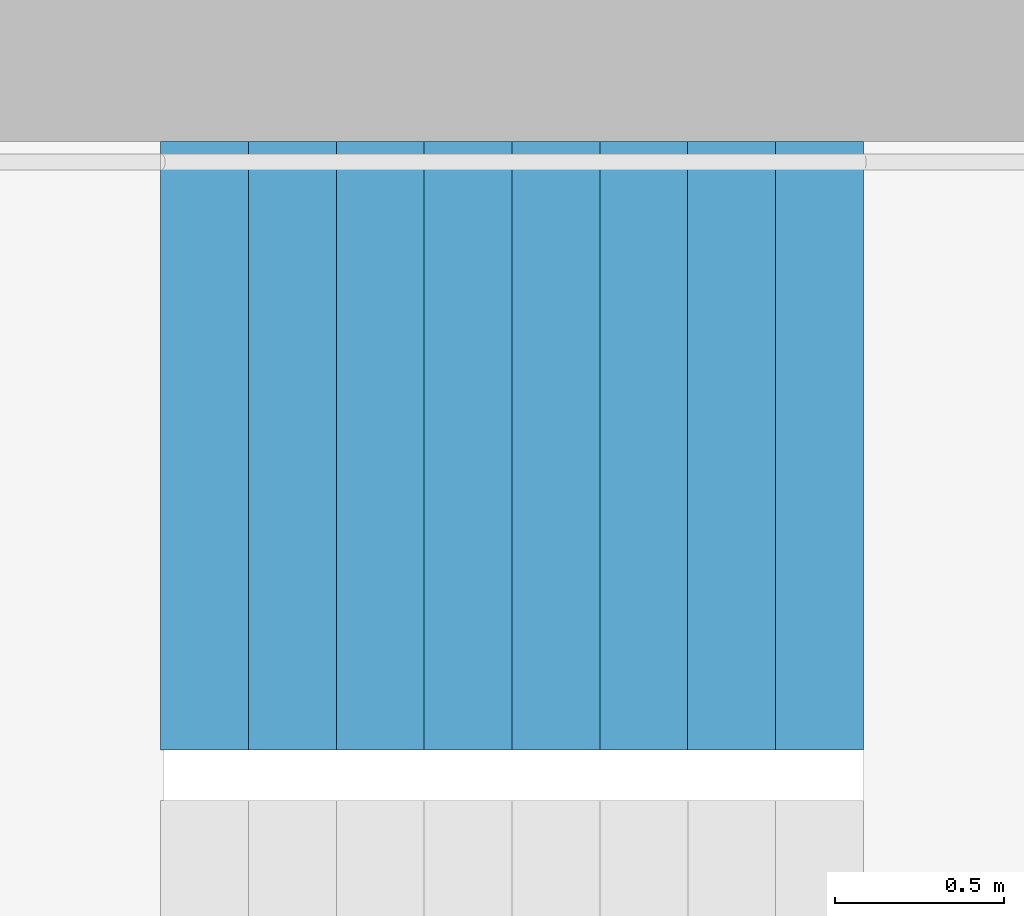
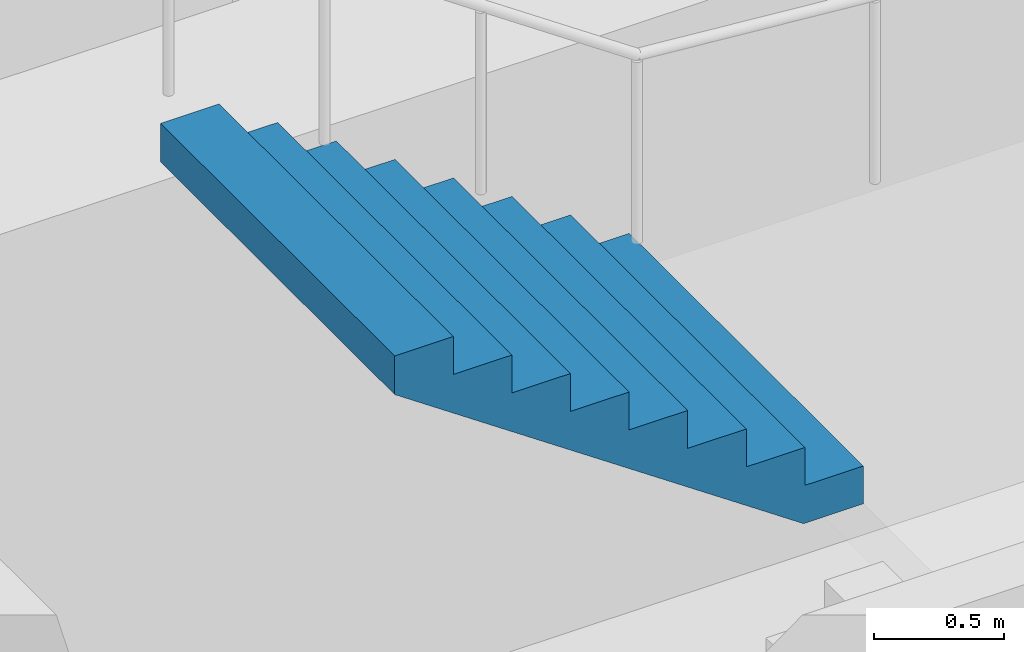
# One storey, part 20 of 30: 1 stair flight, 1 element without a shape of its own.
"""IFC4 building model written with IfcOpenShell, lengths in metres."""

from ifc_helpers import new_model, si_unit, direction, frame, origin, place, context, subcontext, project, spatial, triangles, material, type_object, element, aggregate, save


model = new_model("IFC4")

# Units and contexts
model_context = context("Model", 3, precision=1e-05, world=origin(), true_north=direction((0.0, 1.0)))
body_context = subcontext(model_context, "Body", "Model", "MODEL_VIEW")
ifc_project = project(units=[si_unit("LENGTHUNIT", "METRE"), si_unit("AREAUNIT", "SQUARE_METRE"), si_unit("VOLUMEUNIT", "CUBIC_METRE"), si_unit("PLANEANGLEUNIT", "RADIAN"), si_unit("MASSUNIT", "GRAM", prefix="KILO")], contexts=[model_context])

# Site, building, storey
site_placement = place(None, origin())
site = spatial("IfcSite", under=ifc_project, at=site_placement, CompositionType="ELEMENT")
building_placement = place(site_placement, origin())
building = spatial("IfcBuilding", under=site, at=building_placement, Name="Hakoniwa Tower and Hamabe Station Hall", CompositionType="ELEMENT")
storey_placement = place(building_placement, frame((0.0, 0.0, 137.39990234375)))
storey = spatial("IfcBuildingStorey", under=building, at=storey_placement, Name="L38", CompositionType="ELEMENT", Elevation=137.39990234375)

# Stair, stair flight
ifc_material_1 = material(Name="Concrete C40", Category="concrete")
stair_type = type_object("IfcStairType", Name="ESCAPE STAIR 1800", PredefinedType="HALF_TURN_STAIR", material=ifc_material_1)
stair_placement = place(storey_placement, origin())
stair = element("IfcStair", 1, at=stair_placement, inside=storey, type_object=stair_type, Name="Escape stair ST-1 L38", PredefinedType="HALF_TURN_STAIR")
ifc_material_2 = material(Name="Concrete C40", Category="concrete")
stair_flight_type = type_object("IfcStairFlightType", Name="STAIR FLIGHT 1800", PredefinedType="STRAIGHT", material=ifc_material_2)
stair_flight_placement = place(storey_placement, frame((-22.320068359375, 6.60009765625, 1.60009765625), z_axis=(0.0, 0.0, 1.0), x_axis=(-1.0, 0.0, 0.0)))
stair_flight = element("IfcStairFlight", 2, at=stair_flight_placement, type_object=stair_flight_type, Name="ST-1 flight 2", NumberOfRisers=9, NumberOfTreads=8, PredefinedType="STRAIGHT", RiserHeight=0.177777778, TreadLength=0.26, context=body_context, shape_type="Tessellation", body=[
    triangles([(0.0, 0.89990234375, 0.0), (0.260009765625, 0.89990234375, 0.0), (0.265625, 0.89990234375, 0.0), (0.52001953125, 0.89990234375, 0.174072265625), (0.780029296875, 0.89990234375, 0.351806640625), (1.0400390625, 0.89990234375, 0.529541015625), (1.300048828125, 0.89990234375, 0.707275390625), (1.56005859375, 0.89990234375, 0.885009765625), (1.820068359375, 0.89990234375, 1.062744140625), (2.080078125, 0.89990234375, 1.24072265625), (2.080078125, 0.89990234375, 1.422119140625), (1.820068359375, 0.89990234375, 1.422119140625), (1.820068359375, 0.89990234375, 1.244384765625), (1.56005859375, 0.89990234375, 1.244384765625), (1.56005859375, 0.89990234375, 1.066650390625), (1.300048828125, 0.89990234375, 1.066650390625), (1.300048828125, 0.89990234375, 0.888916015625), (1.0400390625, 0.89990234375, 0.888916015625), (1.0400390625, 0.89990234375, 0.711181640625), (0.780029296875, 0.89990234375, 0.711181640625), (0.780029296875, 0.89990234375, 0.533447265625), (0.52001953125, 0.89990234375, 0.533447265625), (0.52001953125, 0.89990234375, 0.35546875), (0.265625, 0.89990234375, 0.35546875), (0.260009765625, 0.89990234375, 0.35546875), (0.260009765625, 0.89990234375, 0.177734375), (0.0, 0.89990234375, 0.177734375), (0.0, 0.06005859375, 0.0), (0.260009765625, 0.06005859375, 0.0), (0.265625, 0.06005859375, 0.0), (0.52001953125, 0.06005859375, 0.174072265625), (0.780029296875, 0.06005859375, 0.351806640625), (1.0400390625, 0.06005859375, 0.529541015625), (1.300048828125, 0.06005859375, 0.707275390625), (1.56005859375, 0.06005859375, 0.885009765625), (1.820068359375, 0.06005859375, 1.062744140625), (2.080078125, 0.06005859375, 1.24072265625), (2.080078125, 0.06005859375, 1.422119140625), (1.820068359375, 0.06005859375, 1.422119140625), (1.820068359375, 0.06005859375, 1.244384765625), (1.56005859375, 0.06005859375, 1.244384765625), (1.56005859375, 0.06005859375, 1.066650390625), (1.300048828125, 0.06005859375, 1.066650390625), (1.300048828125, 0.06005859375, 0.888916015625), (1.0400390625, 0.06005859375, 0.888916015625), (1.0400390625, 0.06005859375, 0.711181640625), (0.780029296875, 0.06005859375, 0.711181640625), (0.780029296875, 0.06005859375, 0.533447265625), (0.52001953125, 0.06005859375, 0.533447265625), (0.52001953125, 0.06005859375, 0.35546875), (0.265625, 0.06005859375, 0.35546875), (0.260009765625, 0.06005859375, 0.35546875), (0.260009765625, 0.06005859375, 0.177734375), (0.0, 0.06005859375, 0.177734375), (0.0, 0.04296875, 0.0), (0.260009765625, 0.04296875, 0.0), (0.265625, 0.04296875, 0.0), (0.52001953125, 0.04296875, 0.174072265625), (0.780029296875, 0.04296875, 0.351806640625), (1.0400390625, 0.04296875, 0.529541015625), (1.300048828125, 0.04296875, 0.707275390625), (1.56005859375, 0.04296875, 0.885009765625), (1.820068359375, 0.04296875, 1.062744140625), (2.080078125, 0.04296875, 1.24072265625), (2.080078125, 0.04296875, 1.422119140625), (1.820068359375, 0.04296875, 1.422119140625), (1.820068359375, 0.04296875, 1.244384765625), (1.56005859375, 0.04296875, 1.244384765625), (1.56005859375, 0.04296875, 1.066650390625), (1.300048828125, 0.04296875, 1.066650390625), (1.300048828125, 0.04296875, 0.888916015625), (1.0400390625, 0.04296875, 0.888916015625), (1.0400390625, 0.04296875, 0.711181640625), (0.780029296875, 0.04296875, 0.711181640625), (0.780029296875, 0.04296875, 0.533447265625), (0.52001953125, 0.04296875, 0.533447265625), (0.52001953125, 0.04296875, 0.35546875), (0.265625, 0.04296875, 0.35546875), (0.260009765625, 0.04296875, 0.35546875), (0.260009765625, 0.04296875, 0.177734375), (0.0, 0.04296875, 0.177734375), (0.0, 0.025634765625, 0.0), (0.260009765625, 0.025634765625, 0.0), (0.265625, 0.025634765625, 0.0), (0.52001953125, 0.025634765625, 0.174072265625), (0.780029296875, 0.025634765625, 0.351806640625), (1.0400390625, 0.025634765625, 0.529541015625), (1.300048828125, 0.025634765625, 0.707275390625), (1.56005859375, 0.025634765625, 0.885009765625), (1.820068359375, 0.025634765625, 1.062744140625), (2.080078125, 0.025634765625, 1.24072265625), (2.080078125, 0.025634765625, 1.422119140625), (1.820068359375, 0.025634765625, 1.422119140625), (1.820068359375, 0.025634765625, 1.244384765625), (1.56005859375, 0.025634765625, 1.244384765625), (1.56005859375, 0.025634765625, 1.066650390625), (1.300048828125, 0.025634765625, 1.066650390625), (1.300048828125, 0.025634765625, 0.888916015625), (1.0400390625, 0.025634765625, 0.888916015625), (1.0400390625, 0.025634765625, 0.711181640625), (0.780029296875, 0.025634765625, 0.711181640625), (0.780029296875, 0.025634765625, 0.533447265625), (0.52001953125, 0.025634765625, 0.533447265625), (0.52001953125, 0.025634765625, 0.35546875), (0.265625, 0.025634765625, 0.35546875), (0.260009765625, 0.025634765625, 0.35546875), (0.260009765625, 0.025634765625, 0.177734375), (0.0, 0.025634765625, 0.177734375), (0.0, 0.008544921875, 0.0), (0.260009765625, 0.008544921875, 0.0), (0.265625, 0.008544921875, 0.0), (0.52001953125, 0.008544921875, 0.174072265625), (0.780029296875, 0.008544921875, 0.351806640625), (1.0400390625, 0.008544921875, 0.529541015625), (1.300048828125, 0.008544921875, 0.707275390625), (1.56005859375, 0.008544921875, 0.885009765625), (1.820068359375, 0.008544921875, 1.062744140625), (2.080078125, 0.008544921875, 1.24072265625), (2.080078125, 0.008544921875, 1.422119140625), (1.820068359375, 0.008544921875, 1.422119140625), (1.820068359375, 0.008544921875, 1.244384765625), (1.56005859375, 0.008544921875, 1.244384765625), (1.56005859375, 0.008544921875, 1.066650390625), (1.300048828125, 0.008544921875, 1.066650390625), (1.300048828125, 0.008544921875, 0.888916015625), (1.0400390625, 0.008544921875, 0.888916015625), (1.0400390625, 0.008544921875, 0.711181640625), (0.780029296875, 0.008544921875, 0.711181640625), (0.780029296875, 0.008544921875, 0.533447265625), (0.52001953125, 0.008544921875, 0.533447265625), (0.52001953125, 0.008544921875, 0.35546875), (0.265625, 0.008544921875, 0.35546875), (0.260009765625, 0.008544921875, 0.35546875), (0.260009765625, 0.008544921875, 0.177734375), (0.0, 0.008544921875, 0.177734375), (0.0, -0.008544921875, 0.0), (0.260009765625, -0.008544921875, 0.0), (0.265625, -0.008544921875, 0.0), (0.52001953125, -0.008544921875, 0.174072265625), (0.780029296875, -0.008544921875, 0.351806640625), (1.0400390625, -0.008544921875, 0.529541015625), (1.300048828125, -0.008544921875, 0.707275390625), (1.56005859375, -0.008544921875, 0.885009765625), (1.820068359375, -0.008544921875, 1.062744140625), (2.080078125, -0.008544921875, 1.24072265625), (2.080078125, -0.008544921875, 1.422119140625), (1.820068359375, -0.008544921875, 1.422119140625), (1.820068359375, -0.008544921875, 1.244384765625), (1.56005859375, -0.008544921875, 1.244384765625), (1.56005859375, -0.008544921875, 1.066650390625), (1.300048828125, -0.008544921875, 1.066650390625), (1.300048828125, -0.008544921875, 0.888916015625), (1.0400390625, -0.008544921875, 0.888916015625), (1.0400390625, -0.008544921875, 0.711181640625), (0.780029296875, -0.008544921875, 0.711181640625), (0.780029296875, -0.008544921875, 0.533447265625), (0.52001953125, -0.008544921875, 0.533447265625), (0.52001953125, -0.008544921875, 0.35546875), (0.265625, -0.008544921875, 0.35546875), (0.260009765625, -0.008544921875, 0.35546875), (0.260009765625, -0.008544921875, 0.177734375), (0.0, -0.008544921875, 0.177734375), (0.0, -0.025634765625, 0.0), (0.260009765625, -0.025634765625, 0.0), (0.265625, -0.025634765625, 0.0), (0.52001953125, -0.025634765625, 0.174072265625), (0.780029296875, -0.025634765625, 0.351806640625), (1.0400390625, -0.025634765625, 0.529541015625), (1.300048828125, -0.025634765625, 0.707275390625), (1.56005859375, -0.025634765625, 0.885009765625), (1.820068359375, -0.025634765625, 1.062744140625), (2.080078125, -0.025634765625, 1.24072265625), (2.080078125, -0.025634765625, 1.422119140625), (1.820068359375, -0.025634765625, 1.422119140625), (1.820068359375, -0.025634765625, 1.244384765625), (1.56005859375, -0.025634765625, 1.244384765625), (1.56005859375, -0.025634765625, 1.066650390625), (1.300048828125, -0.025634765625, 1.066650390625), (1.300048828125, -0.025634765625, 0.888916015625), (1.0400390625, -0.025634765625, 0.888916015625), (1.0400390625, -0.025634765625, 0.711181640625), (0.780029296875, -0.025634765625, 0.711181640625), (0.780029296875, -0.025634765625, 0.533447265625), (0.52001953125, -0.025634765625, 0.533447265625), (0.52001953125, -0.025634765625, 0.35546875), (0.265625, -0.025634765625, 0.35546875), (0.260009765625, -0.025634765625, 0.35546875), (0.260009765625, -0.025634765625, 0.177734375), (0.0, -0.025634765625, 0.177734375), (0.0, -0.04296875, 0.0), (0.260009765625, -0.04296875, 0.0), (0.265625, -0.04296875, 0.0), (0.52001953125, -0.04296875, 0.174072265625), (0.780029296875, -0.04296875, 0.351806640625), (1.0400390625, -0.04296875, 0.529541015625), (1.300048828125, -0.04296875, 0.707275390625), (1.56005859375, -0.04296875, 0.885009765625), (1.820068359375, -0.04296875, 1.062744140625), (2.080078125, -0.04296875, 1.24072265625), (2.080078125, -0.04296875, 1.422119140625), (1.820068359375, -0.04296875, 1.422119140625), (1.820068359375, -0.04296875, 1.244384765625), (1.56005859375, -0.04296875, 1.244384765625), (1.56005859375, -0.04296875, 1.066650390625), (1.300048828125, -0.04296875, 1.066650390625), (1.300048828125, -0.04296875, 0.888916015625), (1.0400390625, -0.04296875, 0.888916015625), (1.0400390625, -0.04296875, 0.711181640625), (0.780029296875, -0.04296875, 0.711181640625), (0.780029296875, -0.04296875, 0.533447265625), (0.52001953125, -0.04296875, 0.533447265625), (0.52001953125, -0.04296875, 0.35546875), (0.265625, -0.04296875, 0.35546875), (0.260009765625, -0.04296875, 0.35546875), (0.260009765625, -0.04296875, 0.177734375), (0.0, -0.04296875, 0.177734375), (0.0, -0.06005859375, 0.0), (0.260009765625, -0.06005859375, 0.0), (0.265625, -0.06005859375, 0.0), (0.52001953125, -0.06005859375, 0.174072265625), (0.780029296875, -0.06005859375, 0.351806640625), (1.0400390625, -0.06005859375, 0.529541015625), (1.300048828125, -0.06005859375, 0.707275390625), (1.56005859375, -0.06005859375, 0.885009765625), (1.820068359375, -0.06005859375, 1.062744140625), (2.080078125, -0.06005859375, 1.24072265625), (2.080078125, -0.06005859375, 1.422119140625), (1.820068359375, -0.06005859375, 1.422119140625), (1.820068359375, -0.06005859375, 1.244384765625), (1.56005859375, -0.06005859375, 1.244384765625), (1.56005859375, -0.06005859375, 1.066650390625), (1.300048828125, -0.06005859375, 1.066650390625), (1.300048828125, -0.06005859375, 0.888916015625), (1.0400390625, -0.06005859375, 0.888916015625), (1.0400390625, -0.06005859375, 0.711181640625), (0.780029296875, -0.06005859375, 0.711181640625), (0.780029296875, -0.06005859375, 0.533447265625), (0.52001953125, -0.06005859375, 0.533447265625), (0.52001953125, -0.06005859375, 0.35546875), (0.265625, -0.06005859375, 0.35546875), (0.260009765625, -0.06005859375, 0.35546875), (0.260009765625, -0.06005859375, 0.177734375), (0.0, -0.06005859375, 0.177734375), (0.0, -0.89990234375, 0.0), (0.260009765625, -0.89990234375, 0.0), (0.265625, -0.89990234375, 0.0), (0.52001953125, -0.89990234375, 0.174072265625), (0.780029296875, -0.89990234375, 0.351806640625), (1.0400390625, -0.89990234375, 0.529541015625), (1.300048828125, -0.89990234375, 0.707275390625), (1.56005859375, -0.89990234375, 0.885009765625), (1.820068359375, -0.89990234375, 1.062744140625), (2.080078125, -0.89990234375, 1.24072265625), (2.080078125, -0.89990234375, 1.422119140625), (1.820068359375, -0.89990234375, 1.422119140625), (1.820068359375, -0.89990234375, 1.244384765625), (1.56005859375, -0.89990234375, 1.244384765625), (1.56005859375, -0.89990234375, 1.066650390625), (1.300048828125, -0.89990234375, 1.066650390625), (1.300048828125, -0.89990234375, 0.888916015625), (1.0400390625, -0.89990234375, 0.888916015625), (1.0400390625, -0.89990234375, 0.711181640625), (0.780029296875, -0.89990234375, 0.711181640625), (0.780029296875, -0.89990234375, 0.533447265625), (0.52001953125, -0.89990234375, 0.533447265625), (0.52001953125, -0.89990234375, 0.35546875), (0.265625, -0.89990234375, 0.35546875), (0.260009765625, -0.89990234375, 0.35546875), (0.260009765625, -0.89990234375, 0.177734375), (0.0, -0.89990234375, 0.177734375)], [[2, 27, 26], [245, 269, 270], [2, 1, 27], [245, 270, 244], [3, 25, 24], [246, 267, 268], [3, 26, 25], [246, 268, 269], [3, 2, 26], [246, 269, 245], [4, 24, 23], [247, 266, 267], [4, 3, 24], [247, 267, 246], [5, 22, 21], [248, 264, 265], [5, 23, 22], [248, 265, 266], [5, 4, 23], [248, 266, 247], [6, 20, 19], [249, 262, 263], [6, 21, 20], [249, 263, 264], [6, 5, 21], [249, 264, 248], [7, 18, 17], [250, 260, 261], [7, 19, 18], [250, 261, 262], [7, 6, 19], [250, 262, 249], [8, 16, 15], [251, 258, 259], [8, 17, 16], [251, 259, 260], [8, 7, 17], [251, 260, 250], [9, 14, 13], [252, 256, 257], [9, 15, 14], [252, 257, 258], [9, 8, 15], [252, 258, 251], [10, 12, 11], [253, 254, 255], [10, 13, 12], [253, 255, 256], [10, 9, 13], [253, 256, 252], [1, 2, 29], [1, 29, 28], [28, 29, 56], [28, 56, 55], [55, 56, 83], [55, 83, 82], [82, 83, 110], [82, 110, 109], [109, 110, 137], [109, 137, 136], [136, 137, 164], [136, 164, 163], [163, 164, 191], [163, 191, 190], [190, 191, 218], [190, 218, 217], [217, 218, 245], [217, 245, 244], [2, 3, 30], [2, 30, 29], [29, 30, 57], [29, 57, 56], [56, 57, 84], [56, 84, 83], [83, 84, 111], [83, 111, 110], [110, 111, 138], [110, 138, 137], [137, 138, 165], [137, 165, 164], [164, 165, 192], [164, 192, 191], [191, 192, 219], [191, 219, 218], [218, 219, 246], [218, 246, 245], [3, 4, 31], [3, 31, 30], [30, 31, 58], [30, 58, 57], [57, 58, 85], [57, 85, 84], [84, 85, 112], [84, 112, 111], [111, 112, 139], [111, 139, 138], [138, 139, 166], [138, 166, 165], [165, 166, 193], [165, 193, 192], [192, 193, 220], [192, 220, 219], [219, 220, 247], [219, 247, 246], [4, 5, 32], [4, 32, 31], [31, 32, 59], [31, 59, 58], [58, 59, 86], [58, 86, 85], [85, 86, 113], [85, 113, 112], [112, 113, 140], [112, 140, 139], [139, 140, 167], [139, 167, 166], [166, 167, 194], [166, 194, 193], [193, 194, 221], [193, 221, 220], [220, 221, 248], [220, 248, 247], [5, 6, 33], [5, 33, 32], [32, 33, 60], [32, 60, 59], [59, 60, 87], [59, 87, 86], [86, 87, 114], [86, 114, 113], [113, 114, 141], [113, 141, 140], [140, 141, 168], [140, 168, 167], [167, 168, 195], [167, 195, 194], [194, 195, 222], [194, 222, 221], [221, 222, 249], [221, 249, 248], [6, 7, 34], [6, 34, 33], [33, 34, 61], [33, 61, 60], [60, 61, 88], [60, 88, 87], [87, 88, 115], [87, 115, 114], [114, 115, 142], [114, 142, 141], [141, 142, 169], [141, 169, 168], [168, 169, 196], [168, 196, 195], [195, 196, 223], [195, 223, 222], [222, 223, 250], [222, 250, 249], [7, 8, 35], [7, 35, 34], [34, 35, 62], [34, 62, 61], [61, 62, 89], [61, 89, 88], [88, 89, 116], [88, 116, 115], [115, 116, 143], [115, 143, 142], [142, 143, 170], [142, 170, 169], [169, 170, 197], [169, 197, 196], [196, 197, 224], [196, 224, 223], [223, 224, 251], [223, 251, 250], [8, 9, 36], [8, 36, 35], [35, 36, 63], [35, 63, 62], [62, 63, 90], [62, 90, 89], [89, 90, 117], [89, 117, 116], [116, 117, 144], [116, 144, 143], [143, 144, 171], [143, 171, 170], [170, 171, 198], [170, 198, 197], [197, 198, 225], [197, 225, 224], [224, 225, 252], [224, 252, 251], [9, 10, 37], [9, 37, 36], [36, 37, 64], [36, 64, 63], [63, 64, 91], [63, 91, 90], [90, 91, 118], [90, 118, 117], [117, 118, 145], [117, 145, 144], [144, 145, 172], [144, 172, 171], [171, 172, 199], [171, 199, 198], [198, 199, 226], [198, 226, 225], [225, 226, 253], [225, 253, 252], [10, 11, 38], [10, 38, 37], [37, 38, 65], [37, 65, 64], [64, 65, 92], [64, 92, 91], [91, 92, 119], [91, 119, 118], [118, 119, 146], [118, 146, 145], [145, 146, 173], [145, 173, 172], [172, 173, 200], [172, 200, 199], [199, 200, 227], [199, 227, 226], [226, 227, 254], [226, 254, 253], [11, 12, 39], [11, 39, 38], [38, 39, 66], [38, 66, 65], [65, 66, 93], [65, 93, 92], [92, 93, 120], [92, 120, 119], [119, 120, 147], [119, 147, 146], [146, 147, 174], [146, 174, 173], [173, 174, 201], [173, 201, 200], [200, 201, 228], [200, 228, 227], [227, 228, 255], [227, 255, 254], [12, 13, 40], [12, 40, 39], [39, 40, 67], [39, 67, 66], [66, 67, 94], [66, 94, 93], [93, 94, 121], [93, 121, 120], [120, 121, 148], [120, 148, 147], [147, 148, 175], [147, 175, 174], [174, 175, 202], [174, 202, 201], [201, 202, 229], [201, 229, 228], [228, 229, 256], [228, 256, 255], [13, 14, 41], [13, 41, 40], [40, 41, 68], [40, 68, 67], [67, 68, 95], [67, 95, 94], [94, 95, 122], [94, 122, 121], [121, 122, 149], [121, 149, 148], [148, 149, 176], [148, 176, 175], [175, 176, 203], [175, 203, 202], [202, 203, 230], [202, 230, 229], [229, 230, 257], [229, 257, 256], [14, 15, 42], [14, 42, 41], [41, 42, 69], [41, 69, 68], [68, 69, 96], [68, 96, 95], [95, 96, 123], [95, 123, 122], [122, 123, 150], [122, 150, 149], [149, 150, 177], [149, 177, 176], [176, 177, 204], [176, 204, 203], [203, 204, 231], [203, 231, 230], [230, 231, 258], [230, 258, 257], [15, 16, 43], [15, 43, 42], [42, 43, 70], [42, 70, 69], [69, 70, 97], [69, 97, 96], [96, 97, 124], [96, 124, 123], [123, 124, 151], [123, 151, 150], [150, 151, 178], [150, 178, 177], [177, 178, 205], [177, 205, 204], [204, 205, 232], [204, 232, 231], [231, 232, 259], [231, 259, 258], [16, 17, 44], [16, 44, 43], [43, 44, 71], [43, 71, 70], [70, 71, 98], [70, 98, 97], [97, 98, 125], [97, 125, 124], [124, 125, 152], [124, 152, 151], [151, 152, 179], [151, 179, 178], [178, 179, 206], [178, 206, 205], [205, 206, 233], [205, 233, 232], [232, 233, 260], [232, 260, 259], [17, 18, 45], [17, 45, 44], [44, 45, 72], [44, 72, 71], [71, 72, 99], [71, 99, 98], [98, 99, 126], [98, 126, 125], [125, 126, 153], [125, 153, 152], [152, 153, 180], [152, 180, 179], [179, 180, 207], [179, 207, 206], [206, 207, 234], [206, 234, 233], [233, 234, 261], [233, 261, 260], [18, 19, 46], [18, 46, 45], [45, 46, 73], [45, 73, 72], [72, 73, 100], [72, 100, 99], [99, 100, 127], [99, 127, 126], [126, 127, 154], [126, 154, 153], [153, 154, 181], [153, 181, 180], [180, 181, 208], [180, 208, 207], [207, 208, 235], [207, 235, 234], [234, 235, 262], [234, 262, 261], [19, 20, 47], [19, 47, 46], [46, 47, 74], [46, 74, 73], [73, 74, 101], [73, 101, 100], [100, 101, 128], [100, 128, 127], [127, 128, 155], [127, 155, 154], [154, 155, 182], [154, 182, 181], [181, 182, 209], [181, 209, 208], [208, 209, 236], [208, 236, 235], [235, 236, 263], [235, 263, 262], [20, 21, 48], [20, 48, 47], [47, 48, 75], [47, 75, 74], [74, 75, 102], [74, 102, 101], [101, 102, 129], [101, 129, 128], [128, 129, 156], [128, 156, 155], [155, 156, 183], [155, 183, 182], [182, 183, 210], [182, 210, 209], [209, 210, 237], [209, 237, 236], [236, 237, 264], [236, 264, 263], [21, 22, 49], [21, 49, 48], [48, 49, 76], [48, 76, 75], [75, 76, 103], [75, 103, 102], [102, 103, 130], [102, 130, 129], [129, 130, 157], [129, 157, 156], [156, 157, 184], [156, 184, 183], [183, 184, 211], [183, 211, 210], [210, 211, 238], [210, 238, 237], [237, 238, 265], [237, 265, 264], [22, 23, 50], [22, 50, 49], [49, 50, 77], [49, 77, 76], [76, 77, 104], [76, 104, 103], [103, 104, 131], [103, 131, 130], [130, 131, 158], [130, 158, 157], [157, 158, 185], [157, 185, 184], [184, 185, 212], [184, 212, 211], [211, 212, 239], [211, 239, 238], [238, 239, 266], [238, 266, 265], [23, 24, 51], [23, 51, 50], [50, 51, 78], [50, 78, 77], [77, 78, 105], [77, 105, 104], [104, 105, 132], [104, 132, 131], [131, 132, 159], [131, 159, 158], [158, 159, 186], [158, 186, 185], [185, 186, 213], [185, 213, 212], [212, 213, 240], [212, 240, 239], [239, 240, 267], [239, 267, 266], [24, 25, 52], [24, 52, 51], [51, 52, 79], [51, 79, 78], [78, 79, 106], [78, 106, 105], [105, 106, 133], [105, 133, 132], [132, 133, 160], [132, 160, 159], [159, 160, 187], [159, 187, 186], [186, 187, 214], [186, 214, 213], [213, 214, 241], [213, 241, 240], [240, 241, 268], [240, 268, 267], [25, 26, 53], [25, 53, 52], [52, 53, 80], [52, 80, 79], [79, 80, 107], [79, 107, 106], [106, 107, 134], [106, 134, 133], [133, 134, 161], [133, 161, 160], [160, 161, 188], [160, 188, 187], [187, 188, 215], [187, 215, 214], [214, 215, 242], [214, 242, 241], [241, 242, 269], [241, 269, 268], [26, 27, 54], [26, 54, 53], [53, 54, 81], [53, 81, 80], [80, 81, 108], [80, 108, 107], [107, 108, 135], [107, 135, 134], [134, 135, 162], [134, 162, 161], [161, 162, 189], [161, 189, 188], [188, 189, 216], [188, 216, 215], [215, 216, 243], [215, 243, 242], [242, 243, 270], [242, 270, 269], [27, 1, 28], [27, 28, 54], [54, 28, 55], [54, 55, 81], [81, 55, 82], [81, 82, 108], [108, 82, 109], [108, 109, 135], [135, 109, 136], [135, 136, 162], [162, 136, 163], [162, 163, 189], [189, 163, 190], [189, 190, 216], [216, 190, 217], [216, 217, 243], [243, 217, 244], [243, 244, 270]], closed=True),
])
aggregate(stair, [stair_flight])

save(model, "model.ifc")
